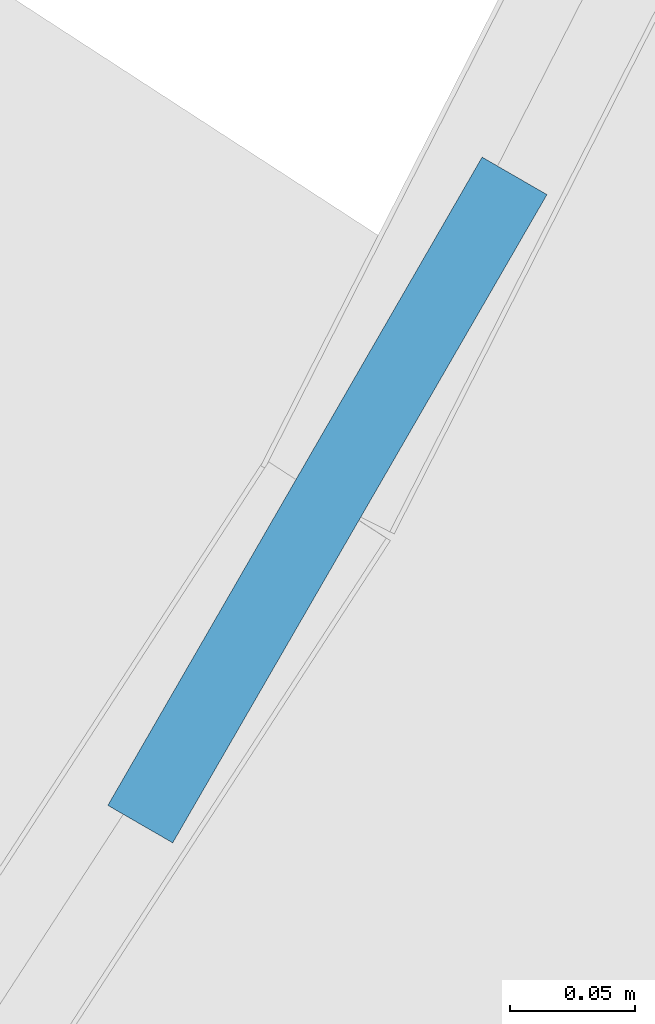
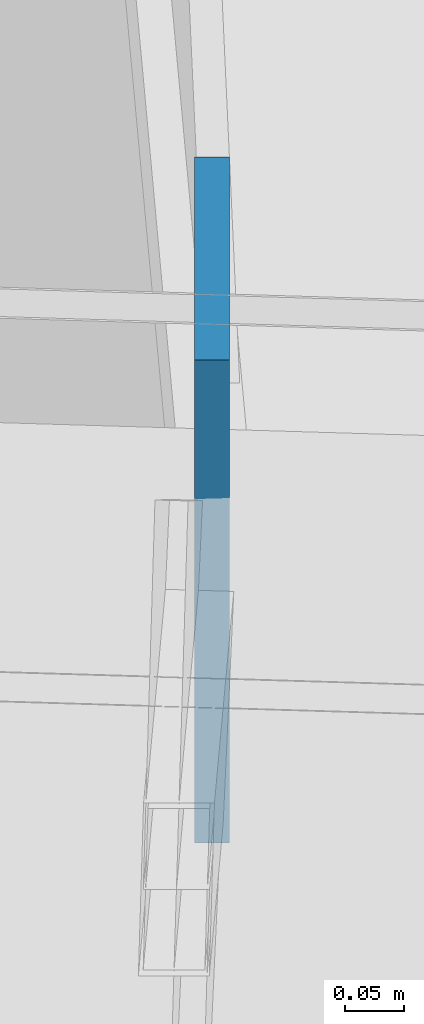
# One storey, part 34 of 36: 1 discrete accessory.
"""IFC4 building model written with IfcOpenShell, lengths in metres."""

import ifcopenshell
import ifcopenshell.guid

model = None  # the IFC model being written
_history = None  # IfcOwnerHistory: only IFC2X3 demands one
_inside = {}  # id of a spatial element -> (the spatial element, [elements in it])
_under = {}  # id of a project, library or spatial element -> (it, [spatial elements below it])
_declared = {}  # id of a project -> (the project, [libraries it declares])
_typed = {}  # id of a type object -> (the type object, [elements of that type])
_made_of = {}  # id of a material, layer set ... -> (it, [elements and type objects made of it])


def new_model(schema):
    """Start an empty IFC model of exactly this schema.

    Asked for "IFC4X3", IfcOpenShell would pick the latest addendum, in which some entities
    have other attributes; the version numbers below select the first issue.
    IFC2X3 requires an IfcOwnerHistory on every rooted entity: one is made here for all.
    """
    global model, _history
    if schema == "IFC4X3":
        model = ifcopenshell.file(schema_version=(4, 3, 0, 0))
    else:
        model = ifcopenshell.file(schema=schema)
    _inside.clear()
    _under.clear()
    _declared.clear()
    _typed.clear()
    _made_of.clear()
    _history = None
    if model.schema == "IFC2X3":
        org = make("IfcOrganization", Name="unknown")
        user = make(
            "IfcPersonAndOrganization",
            ThePerson=make("IfcPerson", FamilyName="unknown"),
            TheOrganization=org,
        )
        app = make(
            "IfcApplication",
            ApplicationDeveloper=org,
            Version="unknown",
            ApplicationFullName="unknown",
            ApplicationIdentifier="unknown",
        )
        _history = make(
            "IfcOwnerHistory",
            OwningUser=user,
            OwningApplication=app,
            ChangeAction="ADDED",
            CreationDate=0,
        )
    return model


def make(cls, **values):
    """One entity of the class cls with the attributes given. An attribute that is None is left unset."""
    return model.create_entity(
        cls, **{name: value for name, value in values.items() if value is not None}
    )


def rooted(cls, **values):
    """An entity with a GlobalId (a new one), such as an element, a storey or a relation."""
    return make(cls, GlobalId=ifcopenshell.guid.new(), OwnerHistory=_history, **values)


def si_unit(unit_type, name, prefix=None):
    """IfcSIUnit, for example si_unit("LENGTHUNIT", "METRE", prefix="MILLI")."""
    return make("IfcSIUnit", UnitType=unit_type, Prefix=prefix, Name=name)


def assignment(units):
    """IfcUnitAssignment: the units of a project."""
    return None if units is None else make("IfcUnitAssignment", Units=units)


def point(xyz):
    """IfcCartesianPoint."""
    return None if xyz is None else make("IfcCartesianPoint", Coordinates=xyz)


def direction(xyz):
    """IfcDirection."""
    return None if xyz is None else make("IfcDirection", DirectionRatios=xyz)


def frame(location, z_axis=None, x_axis=None):
    """IfcAxis2Placement3D, a coordinate frame: its origin and axes. An axis left out is left unset."""
    return make(
        "IfcAxis2Placement3D",
        Location=point(location),
        Axis=direction(z_axis),
        RefDirection=direction(x_axis),
    )


def frame_2d(location, x_axis=None):
    """IfcAxis2Placement2D, a coordinate frame in the plane: its origin and x axis."""
    return make(
        "IfcAxis2Placement2D", Location=point(location), RefDirection=direction(x_axis)
    )


def origin():
    """The frame at (0, 0, 0) with its axes left unset."""
    return frame((0.0, 0.0, 0.0))


def origin_2d():
    """The frame at (0, 0) in the plane with its x axis left unset."""
    return frame_2d((0.0, 0.0))


def place(relative_to, where):
    """IfcLocalPlacement: puts the frame where relative to a parent placement (None: the world)."""
    return make(
        "IfcLocalPlacement", PlacementRelTo=relative_to, RelativePlacement=where
    )


def context(
    kind, dimensions, precision=None, world=None, true_north=None, identifier=None
):
    """IfcGeometricRepresentationContext, for example the 3D "Model" context."""
    return make(
        "IfcGeometricRepresentationContext",
        ContextIdentifier=identifier,
        ContextType=kind,
        CoordinateSpaceDimension=dimensions,
        Precision=precision,
        WorldCoordinateSystem=world,
        TrueNorth=true_north,
    )


def subcontext(parent, identifier, kind, view, scale=None):
    """IfcGeometricRepresentationSubContext, for example "Body" below "Model"."""
    return make(
        "IfcGeometricRepresentationSubContext",
        ContextIdentifier=identifier,
        ContextType=kind,
        ParentContext=parent,
        TargetScale=scale,
        TargetView=view,
    )


def project(units=None, contexts=None):
    """IfcProject with its units and contexts."""
    return rooted(
        "IfcProject",
        Name="project",
        RepresentationContexts=contexts,
        UnitsInContext=assignment(units),
    )


def spatial(cls, under=None, at=None, **own):
    """A site, building, storey or space (cls), placed at a placement, below another one or the project."""
    s = rooted(cls, ObjectPlacement=at, **own)
    if under is not None:
        _under.setdefault(under.id(), (under, []))[1].append(s)
    return s


def profile(cls, at=None, kind="AREA", **sizes):
    """A parametric profile (cls). Its sizes go by their IFC names, for example OverallWidth=200.0."""
    return make(cls, ProfileType=kind, Position=at, **sizes)


def rectangle(**sizes):
    """IfcRectangleProfileDef."""
    return profile("IfcRectangleProfileDef", **sizes)


def extrude(swept, where, along, depth):
    """IfcExtrudedAreaSolid: the profile swept, set in the frame where, extruded along a direction by depth."""
    return make(
        "IfcExtrudedAreaSolid",
        SweptArea=swept,
        Position=where,
        ExtrudedDirection=direction(along),
        Depth=depth,
    )


def shape(context_of_items, identifier, shape_type, items):
    """IfcShapeRepresentation: the items that make up one representation, for example the "Body"."""
    return make(
        "IfcShapeRepresentation",
        ContextOfItems=context_of_items,
        RepresentationIdentifier=identifier,
        RepresentationType=shape_type,
        Items=items,
    )


def material(Name=None, Category=None):
    """IfcMaterial."""
    return make("IfcMaterial", Name=Name, Category=Category)


def layer(
    of_material, thickness, ventilated=None, Name=None, Category=None, Priority=None
):
    """IfcMaterialLayer: one layer of a wall or slab, of a material (None: an air gap)."""
    return make(
        "IfcMaterialLayer",
        Material=of_material,
        LayerThickness=thickness,
        IsVentilated=ventilated,
        Name=Name,
        Category=Category,
        Priority=Priority,
    )


def layer_set(layers, Name=None):
    """IfcMaterialLayerSet."""
    return make("IfcMaterialLayerSet", MaterialLayers=layers, LayerSetName=Name)


def made_of(thing, what):
    """Note that an element or type object is made of a material, layer set ...; save() writes the relation."""
    if what is not None:
        _made_of.setdefault(what.id(), (what, []))[1].append(thing)
    return thing


def type_object(cls, material=None, **own):
    """A type object (cls), such as IfcWallType, which elements share."""
    return made_of(rooted(cls, **own), material)


def element(
    cls,
    number,
    at=None,
    inside=None,
    cuts=None,
    type_object=None,
    material=None,
    context=None,
    identifier="Body",
    shape_type=None,
    held_by="IfcProductDefinitionShape",
    body=None,
    shapes=None,
    **own,
):
    """One element of the class cls, such as IfcWall. Its Tag is "e" and its number.

    at: its placement. inside: the storey or other place that contains it. cuts: it is an
    opening in that element (IfcRelVoidsElement). A single representation is given by context,
    identifier, shape_type and body (its items); several are given by shapes. held_by: the class
    of the entity that holds the representations. save() writes the other relations.
    """
    e = rooted(cls, Tag="e%d" % number, ObjectPlacement=at, **own)
    if body is not None:
        shapes = [shape(context, identifier, shape_type, body)]
    if shapes is not None:
        e.Representation = make(held_by, Representations=shapes)
    if inside is not None:
        _inside.setdefault(inside.id(), (inside, []))[1].append(e)
    if cuts is not None:
        rooted(
            "IfcRelVoidsElement", RelatingBuildingElement=cuts, RelatedOpeningElement=e
        )
    if type_object is not None:
        _typed.setdefault(type_object.id(), (type_object, []))[1].append(e)
    return made_of(e, material)


def aggregate(whole, parts):
    """IfcRelAggregates: a whole, such as a stair, and the parts it consists of."""
    return rooted("IfcRelAggregates", RelatingObject=whole, RelatedObjects=parts)


def save(model, path):
    """Write the relations noted so far, then the file.

    IfcRelAggregates (storeys below a building ...), IfcRelContainedInSpatialStructure (elements
    in a storey), IfcRelDefinesByType, IfcRelAssociatesMaterial and IfcRelDeclares: one each for
    every whole, place, type object, material and project.
    """
    for whole, parts in _under.values():
        aggregate(whole, parts)
    for where, things in _inside.values():
        rooted(
            "IfcRelContainedInSpatialStructure",
            RelatedElements=things,
            RelatingStructure=where,
        )
    for kind, things in _typed.values():
        rooted("IfcRelDefinesByType", RelatedObjects=things, RelatingType=kind)
    for what, things in _made_of.values():
        rooted("IfcRelAssociatesMaterial", RelatedObjects=things, RelatingMaterial=what)
    for by, libraries in _declared.values():
        rooted("IfcRelDeclares", RelatingContext=by, RelatedDefinitions=libraries)
    model.write(path)


model = new_model("IFC4")

# Units and contexts
model_context = context("Model", 3, precision=1e-05, world=origin(), true_north=direction((0.0, 1.0)))
body_context = subcontext(model_context, "Body", "Model", "MODEL_VIEW")
ifc_project = project(units=[si_unit("LENGTHUNIT", "METRE"), si_unit("AREAUNIT", "SQUARE_METRE"), si_unit("VOLUMEUNIT", "CUBIC_METRE"), si_unit("PLANEANGLEUNIT", "RADIAN"), si_unit("MASSUNIT", "GRAM", prefix="KILO")], contexts=[model_context])

# Site, building, storey
site_placement = place(None, origin())
site = spatial("IfcSite", under=ifc_project, at=site_placement, CompositionType="ELEMENT")
building_placement = place(site_placement, origin())
building = spatial("IfcBuilding", under=site, at=building_placement, Name="Ostrander Bayou Hotel Tower", CompositionType="ELEMENT")
storey_placement = place(building_placement, frame((0.0, 0.0, 138.5)))
storey = spatial("IfcBuildingStorey", under=building, at=storey_placement, Name="L34", CompositionType="ELEMENT", Elevation=138.5)

# Discrete accessory
ifc_material = material(Name="Steel ASTM A572 Gr 50", Category="steel")
ifc_layer = layer(ifc_material, 0.030029296875)
ifc_layer_set = layer_set([ifc_layer], Name="GP1 gusset plate 30 mm")
discrete_accessory_type = type_object("IfcDiscreteAccessoryType", Name="GP1 gusset plate 30 mm", PredefinedType="BRACKET", material=ifc_layer_set)
discrete_accessory_placement = place(storey_placement, frame((-19.256591796875, 4.909912109375, 2.89990234375), z_axis=(0.0, 0.0, 1.0), x_axis=(-0.5, -0.866025403784, 0.0)))
element("IfcDiscreteAccessory", 1, at=discrete_accessory_placement, inside=storey, type_object=discrete_accessory_type, Name="GP1 gusset plate lat 200", PredefinedType="BRACKET", context=body_context, shape_type="SweptSolid", body=[
    extrude(rectangle(XDim=0.300048828125, YDim=0.030029296875, at=origin_2d()), origin(), (0.0, 0.0, 1.0), 0.5),
])

save(model, "model.ifc")
